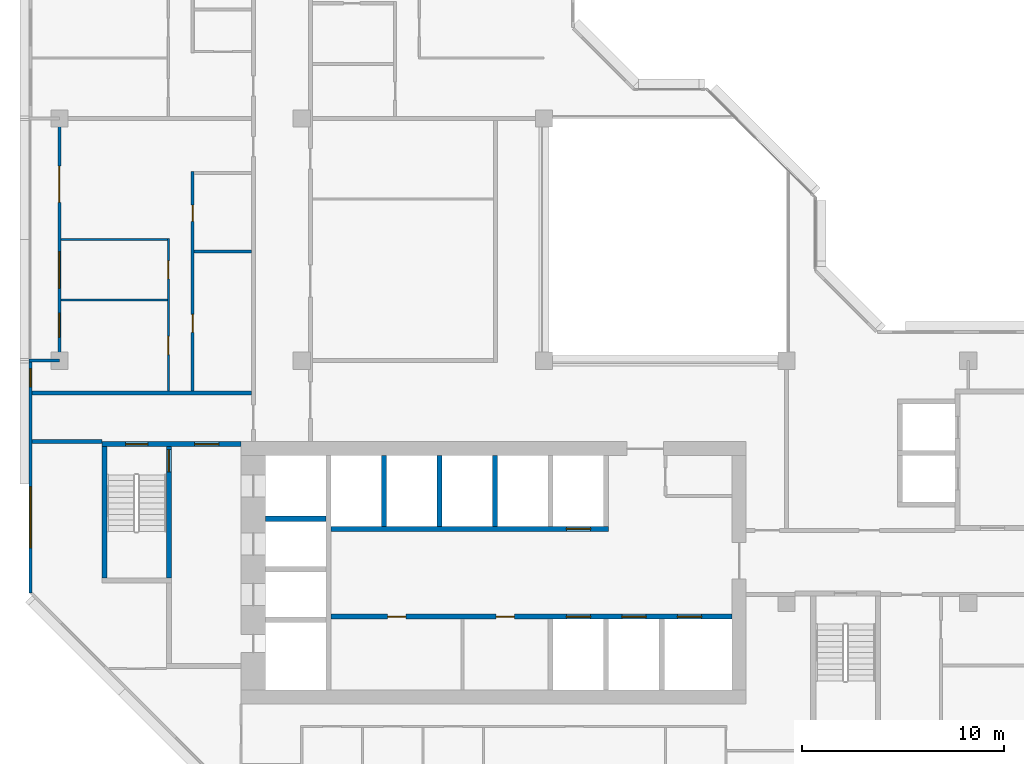
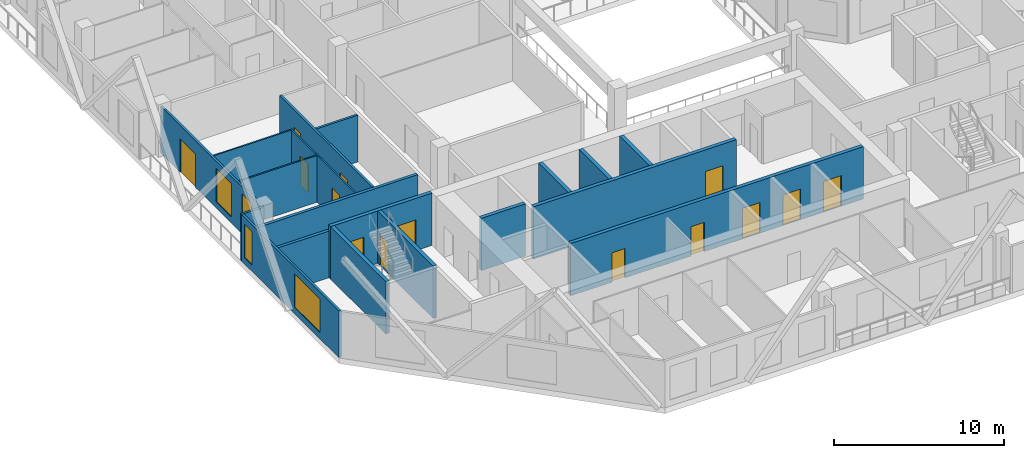
# One storey, part 5 of 16: 19 walls, 14 doors, 4 windows, 18 openings.
"""IFC4 building model written with IfcOpenShell, lengths in metres."""

from ifc_helpers import new_model, si_unit, direction, frame, frame_2d, origin, place, context, subcontext, project, spatial, rectangle, extrude, material, layer, layer_set, type_object, element, fill, save


model = new_model("IFC4")

# Units and contexts
model_context = context("Model", 3, precision=1e-05, world=origin(), true_north=direction((0.0, 1.0)))
body_context = subcontext(model_context, "Body", "Model", "MODEL_VIEW")
ifc_project = project(units=[si_unit("LENGTHUNIT", "METRE"), si_unit("AREAUNIT", "SQUARE_METRE"), si_unit("VOLUMEUNIT", "CUBIC_METRE"), si_unit("PLANEANGLEUNIT", "RADIAN"), si_unit("MASSUNIT", "GRAM", prefix="KILO")], contexts=[model_context])

# Site, building, storey
site_placement = place(None, origin())
site = spatial("IfcSite", under=ifc_project, at=site_placement, CompositionType="ELEMENT")
building_placement = place(site_placement, origin())
building = spatial("IfcBuilding", under=site, at=building_placement, Name="Chenar Terraces", CompositionType="ELEMENT")
storey_placement = place(building_placement, frame((0.0, 0.0, 219.14990234375)))
storey = spatial("IfcBuildingStorey", under=building, at=storey_placement, Name="L51", CompositionType="ELEMENT", Elevation=219.14990234375)

# Wall, openings, doors
ifc_material_1 = material(Name="Concrete C60/75", Category="concrete")
ifc_layer_1 = layer(ifc_material_1, 0.25)
ifc_layer_set_1 = layer_set([ifc_layer_1], Name="Concrete C60/75")
wall_type_1 = type_object("IfcWallType", Name="Core wall 250 Concrete C60/75", PredefinedType="SHEAR", material=ifc_layer_set_1)
wall_1_placement = place(storey_placement, frame((13.449951171875, 11.324951171875, 0.0), z_axis=(0.0, 0.0, 1.0), x_axis=(1.0, 0.0, 0.0)))
wall_1 = element("IfcWall", 1, at=wall_1_placement, inside=storey, type_object=wall_type_1, Name="Core wall SF L51", PredefinedType="SHEAR", context=body_context, shape_type="SweptSolid", body=[
    extrude(rectangle(XDim=19.85009765625, YDim=0.25, at=frame_2d((9.925048828125, 0.0))), origin(), (0.0, 0.0, 1.0), 3.75),
])
opening_1_placement = place(wall_1_placement, frame((11.64990234375, 0.0, 0.0)))
opening_1 = element("IfcOpeningElement", 2, at=opening_1_placement, cuts=wall_1, Name="Opening DL51-LD1", PredefinedType="OPENING", context=body_context, shape_type="SweptSolid", body=[
    extrude(rectangle(XDim=1.199951171875, YDim=2.199951171875, at=frame_2d((0.60009765625, 1.10009765625))), frame((0.0, 0.135009765625, 0.0), z_axis=(0.0, -1.0, 0.0), x_axis=(1.0, 0.0, 0.0)), (0.0, 0.0, 1.0), 0.27001953125),
])
opening_2_placement = place(wall_1_placement, frame((14.39990234375, 0.0, 0.0)))
opening_2 = element("IfcOpeningElement", 3, at=opening_2_placement, cuts=wall_1, Name="Opening DL51-LD2", PredefinedType="OPENING", context=body_context, shape_type="SweptSolid", body=[
    extrude(rectangle(XDim=1.199951171875, YDim=2.199951171875, at=frame_2d((0.60009765625, 1.10009765625))), frame((0.0, 0.135009765625, 0.0), z_axis=(0.0, -1.0, 0.0), x_axis=(1.0, 0.0, 0.0)), (0.0, 0.0, 1.0), 0.27001953125),
])
opening_3_placement = place(wall_1_placement, frame((17.14990234375, 0.0, 0.0)))
opening_3 = element("IfcOpeningElement", 4, at=opening_3_placement, cuts=wall_1, Name="Opening DL51-LD3", PredefinedType="OPENING", context=body_context, shape_type="SweptSolid", body=[
    extrude(rectangle(XDim=1.199951171875, YDim=2.199951171875, at=frame_2d((0.60009765625, 1.10009765625))), frame((0.0, 0.135009765625, 0.0), z_axis=(0.0, -1.0, 0.0), x_axis=(1.0, 0.0, 0.0)), (0.0, 0.0, 1.0), 0.27001953125),
])
opening_4_placement = place(wall_1_placement, frame((2.800048828125, 0.0, 0.0)))
opening_4 = element("IfcOpeningElement", 5, at=opening_4_placement, cuts=wall_1, Name="Opening DL51-C12", PredefinedType="OPENING", context=body_context, shape_type="SweptSolid", body=[
    extrude(rectangle(XDim=0.89990234375, YDim=2.10009765625, at=frame_2d((0.449951171875, 1.050048828125))), frame((0.0, 0.135009765625, 0.0), z_axis=(0.0, -1.0, 0.0), x_axis=(1.0, 0.0, 0.0)), (0.0, 0.0, 1.0), 0.27001953125),
])
opening_5_placement = place(wall_1_placement, frame((8.175048828125, 0.0, 0.0)))
opening_5 = element("IfcOpeningElement", 6, at=opening_5_placement, cuts=wall_1, Name="Opening DL51-C13", PredefinedType="OPENING", context=body_context, shape_type="SweptSolid", body=[
    extrude(rectangle(XDim=0.89990234375, YDim=2.10009765625, at=frame_2d((0.449951171875, 1.050048828125))), frame((0.0, 0.135009765625, 0.0), z_axis=(0.0, -1.0, 0.0), x_axis=(1.0, 0.0, 0.0)), (0.0, 0.0, 1.0), 0.27001953125),
])
ifc_material_2 = material(Name="Stainless steel", Category="steel")
door_type_1 = type_object("IfcDoorType", Name="Lift landing door 1200 x 2200 sliding", OperationType="DOUBLE_DOOR_SLIDING", PredefinedType="DOOR", material=ifc_material_2)
door_1_placement = place(opening_1_placement, origin())
door_1 = element("IfcDoor", 7, at=door_1_placement, inside=storey, type_object=door_type_1, Name="Landing door M1", OperationType="DOUBLE_DOOR_SLIDING", OverallHeight=2.199951171875, OverallWidth=1.199951171875, PredefinedType="DOOR", context=body_context, shape_type="SweptSolid", body=[
    extrude(rectangle(XDim=1.199951171875, YDim=2.199951171875, at=frame_2d((0.60009765625, 1.10009765625))), frame((0.0, 0.02490234375, 0.0), z_axis=(0.0, -1.0, 0.0), x_axis=(1.0, 0.0, 0.0)), (0.0, 0.0, 1.0), 0.050048828125),
])
fill(opening_1, door_1)
door_2_placement = place(opening_2_placement, origin())
door_2 = element("IfcDoor", 8, at=door_2_placement, inside=storey, type_object=door_type_1, Name="Landing door M2", OperationType="DOUBLE_DOOR_SLIDING", OverallHeight=2.199951171875, OverallWidth=1.199951171875, PredefinedType="DOOR", context=body_context, shape_type="SweptSolid", body=[
    extrude(rectangle(XDim=1.199951171875, YDim=2.199951171875, at=frame_2d((0.60009765625, 1.10009765625))), frame((0.0, 0.02490234375, 0.0), z_axis=(0.0, -1.0, 0.0), x_axis=(1.0, 0.0, 0.0)), (0.0, 0.0, 1.0), 0.050048828125),
])
fill(opening_2, door_2)
door_3_placement = place(opening_3_placement, origin())
door_3 = element("IfcDoor", 9, at=door_3_placement, inside=storey, type_object=door_type_1, Name="Landing door M3", OperationType="DOUBLE_DOOR_SLIDING", OverallHeight=2.199951171875, OverallWidth=1.199951171875, PredefinedType="DOOR", context=body_context, shape_type="SweptSolid", body=[
    extrude(rectangle(XDim=1.199951171875, YDim=2.199951171875, at=frame_2d((0.60009765625, 1.10009765625))), frame((0.0, 0.02490234375, 0.0), z_axis=(0.0, -1.0, 0.0), x_axis=(1.0, 0.0, 0.0)), (0.0, 0.0, 1.0), 0.050048828125),
])
fill(opening_3, door_3)
ifc_material_3 = material(Name="Steel-framed fire-resisting door leaf", Category="steel")
door_type_2 = type_object("IfcDoorType", Name="Riser fire door FD60 900 x 2100", OperationType="SINGLE_SWING_LEFT", PredefinedType="DOOR", material=ifc_material_3)
door_4_placement = place(opening_4_placement, frame((0.89990234375, 0.0, 0.0), z_axis=(0.0, 0.0, 1.0), x_axis=(-1.0, 0.0, 0.0)))
door_4 = element("IfcDoor", 10, at=door_4_placement, inside=storey, type_object=door_type_2, Name="Core room door DL51-C12", OperationType="SINGLE_SWING_LEFT", OverallHeight=2.10009765625, OverallWidth=0.89990234375, PredefinedType="DOOR", context=body_context, shape_type="SweptSolid", body=[
    extrude(rectangle(XDim=0.89990234375, YDim=2.10009765625, at=frame_2d((0.449951171875, 1.050048828125))), frame((0.0, 0.02490234375, 0.0), z_axis=(0.0, -1.0, 0.0), x_axis=(1.0, 0.0, 0.0)), (0.0, 0.0, 1.0), 0.050048828125),
])
fill(opening_4, door_4)
door_5_placement = place(opening_5_placement, frame((0.89990234375, 0.0, 0.0), z_axis=(0.0, 0.0, 1.0), x_axis=(-1.0, 0.0, 0.0)))
door_5 = element("IfcDoor", 11, at=door_5_placement, inside=storey, type_object=door_type_2, Name="Core room door DL51-C13", OperationType="SINGLE_SWING_LEFT", OverallHeight=2.10009765625, OverallWidth=0.89990234375, PredefinedType="DOOR", context=body_context, shape_type="SweptSolid", body=[
    extrude(rectangle(XDim=0.89990234375, YDim=2.10009765625, at=frame_2d((0.449951171875, 1.050048828125))), frame((0.0, 0.02490234375, 0.0), z_axis=(0.0, -1.0, 0.0), x_axis=(1.0, 0.0, 0.0)), (0.0, 0.0, 1.0), 0.050048828125),
])
fill(opening_5, door_5)

# Wall, opening, door
wall_2_placement = place(storey_placement, frame((13.449951171875, 15.675048828125, 0.0), z_axis=(0.0, 0.0, 1.0), x_axis=(1.0, 0.0, 0.0)))
wall_2 = element("IfcWall", 12, at=wall_2_placement, inside=storey, type_object=wall_type_1, Name="Core wall NF L51", PredefinedType="SHEAR", context=body_context, shape_type="SweptSolid", body=[
    extrude(rectangle(XDim=13.75, YDim=0.25, at=frame_2d((6.875, 0.0))), origin(), (0.0, 0.0, 1.0), 3.75),
])
opening_6_placement = place(wall_2_placement, frame((11.64990234375, 0.0, 0.0)))
opening_6 = element("IfcOpeningElement", 13, at=opening_6_placement, cuts=wall_2, Name="Opening DL51-LD4", PredefinedType="OPENING", context=body_context, shape_type="SweptSolid", body=[
    extrude(rectangle(XDim=1.199951171875, YDim=2.199951171875, at=frame_2d((0.60009765625, 1.10009765625))), frame((0.0, 0.135009765625, 0.0), z_axis=(0.0, -1.0, 0.0), x_axis=(1.0, 0.0, 0.0)), (0.0, 0.0, 1.0), 0.27001953125),
])
door_6_placement = place(opening_6_placement, origin())
door_6 = element("IfcDoor", 14, at=door_6_placement, inside=storey, type_object=door_type_1, Name="Landing door M4", OperationType="DOUBLE_DOOR_SLIDING", OverallHeight=2.199951171875, OverallWidth=1.199951171875, PredefinedType="DOOR", context=body_context, shape_type="SweptSolid", body=[
    extrude(rectangle(XDim=1.199951171875, YDim=2.199951171875, at=frame_2d((0.60009765625, 1.10009765625))), frame((0.0, 0.02490234375, 0.0), z_axis=(0.0, -1.0, 0.0), x_axis=(1.0, 0.0, 0.0)), (0.0, 0.0, 1.0), 0.050048828125),
])
fill(opening_6, door_6)

# Walls
wall_3_placement = place(storey_placement, frame((10.199951171875, 16.175048828125, 0.0), z_axis=(0.0, 0.0, 1.0), x_axis=(1.0, 0.0, 0.0)))
element("IfcWall", 15, at=wall_3_placement, inside=storey, type_object=wall_type_1, Name="Core wall HW2 L51", PredefinedType="SHEAR", context=body_context, shape_type="SweptSolid", body=[
    extrude(rectangle(XDim=3.0, YDim=0.25, at=frame_2d((1.5, 0.0))), origin(), (0.0, 0.0, 1.0), 3.75),
])
for number, where, z_axis, x_axis, name in (
    (16, (16.074951171875, 15.800048828125, 0.0), (0.0, 0.0, 1.0), (0.0, 1.0, 0.0), "Core wall NS0 L51"),
    (17, (18.824951171875, 15.800048828125, 0.0), (0.0, 0.0, 1.0), (0.0, 1.0, 0.0), "Core wall NS1 L51"),
    (18, (21.574951171875, 15.800048828125, 0.0), (0.0, 0.0, 1.0), (0.0, 1.0, 0.0), "Core wall NS2 L51"),
):
    element("IfcWall", number, at=place(storey_placement, frame(where, z_axis=z_axis, x_axis=x_axis)), inside=storey, type_object=wall_type_1, Name=name, PredefinedType="SHEAR", context=body_context, shape_type="SweptSolid", body=[
        extrude(rectangle(XDim=3.5, YDim=0.25, at=frame_2d((1.75, 0.0))), origin(), (0.0, 0.0, 1.0), 3.75),
    ])

# Wall, openings, doors
wall_4_placement = place(storey_placement, frame((2.10009765625, 19.875, 0.0), z_axis=(0.0, 0.0, 1.0), x_axis=(1.0, 0.0, 0.0)))
wall_4 = element("IfcWall", 19, at=wall_4_placement, inside=storey, type_object=wall_type_1, Name="Core wall A_N L51", PredefinedType="SHEAR", context=body_context, shape_type="SweptSolid", body=[
    extrude(rectangle(XDim=6.89990234375, YDim=0.25, at=frame_2d((3.449951171875, 0.0))), origin(), (0.0, 0.0, 1.0), 3.75),
])
opening_7_placement = place(wall_4_placement, frame((1.175048828125, 0.0, 0.0)))
opening_7 = element("IfcOpeningElement", 20, at=opening_7_placement, cuts=wall_4, Name="Opening DL51-C5", PredefinedType="OPENING", context=body_context, shape_type="SweptSolid", body=[
    extrude(rectangle(XDim=1.10009765625, YDim=2.199951171875, at=frame_2d((0.550048828125, 1.10009765625))), frame((0.0, 0.135009765625, 0.0), z_axis=(0.0, -1.0, 0.0), x_axis=(1.0, 0.0, 0.0)), (0.0, 0.0, 1.0), 0.27001953125),
])
opening_8_placement = place(wall_4_placement, frame((4.60009765625, 0.0, 0.0)))
opening_8 = element("IfcOpeningElement", 21, at=opening_8_placement, cuts=wall_4, Name="Opening DL51-C6", PredefinedType="OPENING", context=body_context, shape_type="SweptSolid", body=[
    extrude(rectangle(XDim=1.199951171875, YDim=2.199951171875, at=frame_2d((0.60009765625, 1.10009765625))), frame((0.0, 0.135009765625, 0.0), z_axis=(0.0, -1.0, 0.0), x_axis=(1.0, 0.0, 0.0)), (0.0, 0.0, 1.0), 0.27001953125),
])
ifc_material_4 = material(Name="Steel-framed fire-resisting door leaf", Category="steel")
door_type_3 = type_object("IfcDoorType", Name="Lobby fire door FD60 1200 x 2200", OperationType="SINGLE_SWING_LEFT", PredefinedType="DOOR", material=ifc_material_4)
door_7_placement = place(opening_8_placement, frame((1.199951171875, 0.0, 0.0), z_axis=(0.0, 0.0, 1.0), x_axis=(-1.0, 0.0, 0.0)))
door_7 = element("IfcDoor", 22, at=door_7_placement, inside=storey, type_object=door_type_3, Name="Core door DL51-C6", OperationType="SINGLE_SWING_LEFT", OverallHeight=2.199951171875, OverallWidth=1.199951171875, PredefinedType="DOOR", context=body_context, shape_type="SweptSolid", body=[
    extrude(rectangle(XDim=1.199951171875, YDim=2.199951171875, at=frame_2d((0.60009765625, 1.10009765625))), frame((0.0, 0.02490234375, 0.0), z_axis=(0.0, -1.0, 0.0), x_axis=(1.0, 0.0, 0.0)), (0.0, 0.0, 1.0), 0.050048828125),
])
fill(opening_8, door_7)
ifc_material_5 = material(Name="Steel-framed fire-resisting door leaf", Category="steel")
door_type_4 = type_object("IfcDoorType", Name="Stair fire door FD60 1100 x 2200", OperationType="SINGLE_SWING_LEFT", PredefinedType="DOOR", material=ifc_material_5)
door_8_placement = place(opening_7_placement, origin())
door_8 = element("IfcDoor", 23, at=door_8_placement, inside=storey, type_object=door_type_4, Name="Stair door DL51-C5", OperationType="SINGLE_SWING_LEFT", OverallHeight=2.199951171875, OverallWidth=1.10009765625, PredefinedType="DOOR", context=body_context, shape_type="SweptSolid", body=[
    extrude(rectangle(XDim=1.10009765625, YDim=2.199951171875, at=frame_2d((0.550048828125, 1.10009765625))), frame((0.0, 0.02490234375, 0.0), z_axis=(0.0, -1.0, 0.0), x_axis=(1.0, 0.0, 0.0)), (0.0, 0.0, 1.0), 0.050048828125),
])
fill(opening_7, door_8)

# Wall
wall_5_placement = place(storey_placement, frame((2.22509765625, 13.25, 0.0), z_axis=(0.0, 0.0, 1.0), x_axis=(0.0, 1.0, 0.0)))
element("IfcWall", 24, at=wall_5_placement, inside=storey, type_object=wall_type_1, Name="Core wall ST1_W L51", PredefinedType="SHEAR", context=body_context, shape_type="SweptSolid", body=[
    extrude(rectangle(XDim=6.5, YDim=0.25, at=frame_2d((3.25, 0.0))), origin(), (0.0, 0.0, 1.0), 3.75),
])

# Wall, opening, door
wall_6_placement = place(storey_placement, frame((5.425048828125, 13.25, 0.0), z_axis=(0.0, 0.0, 1.0), x_axis=(0.0, 1.0, 0.0)))
wall_6 = element("IfcWall", 25, at=wall_6_placement, inside=storey, type_object=wall_type_1, Name="Core wall ST1_E L51", PredefinedType="SHEAR", context=body_context, shape_type="SweptSolid", body=[
    extrude(rectangle(XDim=6.5, YDim=0.25, at=frame_2d((3.25, 0.0))), origin(), (0.0, 0.0, 1.0), 3.75),
])
opening_9_placement = place(wall_6_placement, frame((5.25, 0.0, 0.0)))
opening_9 = element("IfcOpeningElement", 26, at=opening_9_placement, cuts=wall_6, Name="Opening DL51-C3", PredefinedType="OPENING", context=body_context, shape_type="SweptSolid", body=[
    extrude(rectangle(XDim=1.10009765625, YDim=2.199951171875, at=frame_2d((0.550048828125, 1.10009765625))), frame((0.0, 0.135009765625, 0.0), z_axis=(0.0, -1.0, 0.0), x_axis=(1.0, 0.0, 0.0)), (0.0, 0.0, 1.0), 0.27001953125),
])
door_9_placement = place(opening_9_placement, origin())
door_9 = element("IfcDoor", 27, at=door_9_placement, inside=storey, type_object=door_type_4, Name="Stair door DL51-C3", OperationType="SINGLE_SWING_RIGHT", OverallHeight=2.199951171875, OverallWidth=1.10009765625, PredefinedType="DOOR", context=body_context, shape_type="SweptSolid", body=[
    extrude(rectangle(XDim=1.10009765625, YDim=2.199951171875, at=frame_2d((0.550048828125, 1.10009765625))), frame((0.0, 0.02490234375, 0.0), z_axis=(0.0, -1.0, 0.0), x_axis=(1.0, 0.0, 0.0)), (0.0, 0.0, 1.0), 0.050048828125),
])
fill(opening_9, door_9)

# Walls
ifc_material_6 = material(Name="Gypsum board on steel studs with fire boards", Category="steel")
ifc_layer_2 = layer(ifc_material_6, 0.199951171875)
ifc_layer_set_2 = layer_set([ifc_layer_2], Name="Gypsum board on steel studs with fire boards")
wall_type_2 = type_object("IfcWallType", Name="Corridor wall 200", PredefinedType="PARTITIONING", material=ifc_layer_set_2)
wall_7_placement = place(storey_placement, frame((-1.35009765625, 20.0, 0.0), z_axis=(0.0, 0.0, 1.0), x_axis=(1.0, 0.0, 0.0)))
element("IfcWall", 28, at=wall_7_placement, inside=storey, type_object=wall_type_2, Name="Partition L51-003", PredefinedType="PARTITIONING", context=body_context, shape_type="SweptSolid", body=[
    extrude(rectangle(XDim=3.4501953125, YDim=0.199951171875, at=frame_2d((1.72509765625, 0.0))), origin(), (0.0, 0.0, 1.0), 3.35009765625),
])
wall_8_placement = place(storey_placement, frame((-1.35009765625, 22.39990234375, 0.0), z_axis=(0.0, 0.0, 1.0), x_axis=(1.0, 0.0, 0.0)))
element("IfcWall", 29, at=wall_8_placement, inside=storey, type_object=wall_type_2, Name="Partition L51-004", PredefinedType="PARTITIONING", context=body_context, shape_type="SweptSolid", body=[
    extrude(rectangle(XDim=10.85009765625, YDim=0.199951171875, at=frame_2d((5.425048828125, 0.0))), origin(), (0.0, 0.0, 1.0), 3.35009765625),
])

# Wall, openings, windows
ifc_material_7 = material(Name="Aluminium framed glazing", Category="aluminium")
ifc_layer_3 = layer(ifc_material_7, 0.14990234375)
ifc_layer_set_3 = layer_set([ifc_layer_3], Name="Aluminium framed glazing")
wall_type_3 = type_object("IfcWallType", Name="Glazed flush facade wall 150", PredefinedType="SOLIDWALL", material=ifc_layer_set_3)
wall_9_placement = place(storey_placement, frame((-1.425048828125, 23.925048828125, 0.0), z_axis=(0.0, 0.0, 1.0), x_axis=(0.0, -1.0, 0.0)))
wall_9 = element("IfcWall", 30, at=wall_9_placement, inside=storey, type_object=wall_type_3, Name="Glazed flush facade wall", PredefinedType="SOLIDWALL", context=body_context, shape_type="SweptSolid", body=[
    extrude(rectangle(XDim=11.425048828125, YDim=0.14990234375, at=frame_2d((5.71240234375, 0.0))), origin(), (0.0, 0.0, 1.0), 3.35009765625),
])
opening_10_placement = place(wall_9_placement, frame((0.3125, 0.0, 0.449951171875)))
opening_10 = element("IfcOpeningElement", 31, at=opening_10_placement, cuts=wall_9, Name="Opening W90x240", PredefinedType="OPENING", context=body_context, shape_type="SweptSolid", body=[
    extrude(rectangle(XDim=0.89990234375, YDim=2.39990234375, at=frame_2d((0.449951171875, 1.199951171875))), frame((0.0, 0.0849609375, 0.0), z_axis=(0.0, -1.0, 0.0), x_axis=(1.0, 0.0, 0.0)), (0.0, 0.0, 1.0), 0.169921875),
])
opening_11_placement = place(wall_9_placement, frame((6.175048828125, 0.0, 0.449951171875)))
opening_11 = element("IfcOpeningElement", 32, at=opening_11_placement, cuts=wall_9, Name="Opening W300x240", PredefinedType="OPENING", context=body_context, shape_type="SweptSolid", body=[
    extrude(rectangle(XDim=3.0, YDim=2.39990234375, at=frame_2d((1.5, 1.199951171875))), frame((0.0, 0.0849609375, 0.0), z_axis=(0.0, -1.0, 0.0), x_axis=(1.0, 0.0, 0.0)), (0.0, 0.0, 1.0), 0.169921875),
])
ifc_material_8 = material(Name="Low emissivity double glazing, aluminium frame", Category="aluminium")
window_type_1 = type_object("IfcWindowType", Name="Fixed light 3000 x 2400", PartitioningType="SINGLE_PANEL", PredefinedType="WINDOW", material=ifc_material_8)
window_1_placement = place(opening_11_placement, origin())
window_1 = element("IfcWindow", 33, at=window_1_placement, inside=storey, type_object=window_type_1, Name="Window", OverallHeight=2.39990234375, OverallWidth=3.0, PartitioningType="SINGLE_PANEL", PredefinedType="WINDOW", context=body_context, shape_type="SweptSolid", body=[
    extrude(rectangle(XDim=3.0, YDim=2.39990234375, at=frame_2d((1.5, 1.199951171875))), frame((0.0, 0.030029296875, 0.0), z_axis=(0.0, -1.0, 0.0), x_axis=(1.0, 0.0, 0.0)), (0.0, 0.0, 1.0), 0.06005859375),
])
fill(opening_11, window_1)
ifc_material_9 = material(Name="Low emissivity double glazing, aluminium frame", Category="aluminium")
window_type_2 = type_object("IfcWindowType", Name="Fixed light 900 x 2400", PartitioningType="SINGLE_PANEL", PredefinedType="WINDOW", material=ifc_material_9)
window_2_placement = place(opening_10_placement, origin())
window_2 = element("IfcWindow", 34, at=window_2_placement, inside=storey, type_object=window_type_2, Name="Window", OverallHeight=2.39990234375, OverallWidth=0.89990234375, PartitioningType="SINGLE_PANEL", PredefinedType="WINDOW", context=body_context, shape_type="SweptSolid", body=[
    extrude(rectangle(XDim=0.89990234375, YDim=2.39990234375, at=frame_2d((0.449951171875, 1.199951171875))), frame((0.0, 0.030029296875, 0.0), z_axis=(0.0, -1.0, 0.0), x_axis=(1.0, 0.0, 0.0)), (0.0, 0.0, 1.0), 0.06005859375),
])
fill(opening_10, window_2)

# Wall, openings, windows, door
ifc_material_10 = material(Name="Aluminium framed glazing", Category="aluminium")
ifc_layer_4 = layer(ifc_material_10, 0.14990234375)
ifc_layer_set_4 = layer_set([ifc_layer_4], Name="Aluminium framed glazing")
wall_type_4 = type_object("IfcWallType", Name="Glazed loggia back wall 150", PredefinedType="SOLIDWALL", material=ifc_layer_set_4)
wall_10_placement = place(storey_placement, frame((0.0, 35.925048828125, 0.0), z_axis=(0.0, 0.0, 1.0), x_axis=(0.0, -1.0, 0.0)))
wall_10 = element("IfcWall", 35, at=wall_10_placement, inside=storey, type_object=wall_type_4, Name="Glazed loggia back wall", PredefinedType="SOLIDWALL", context=body_context, shape_type="SweptSolid", body=[
    extrude(rectangle(XDim=11.85009765625, YDim=0.14990234375, at=frame_2d((5.925048828125, 0.0))), origin(), (0.0, 0.0, 1.0), 3.35009765625),
])
opening_12_placement = place(wall_10_placement, frame((2.28759765625, 0.0, 0.0)))
opening_12 = element("IfcOpeningElement", 36, at=opening_12_placement, cuts=wall_10, Name="Opening DL51-G5", PredefinedType="OPENING", context=body_context, shape_type="SweptSolid", body=[
    extrude(rectangle(XDim=1.800048828125, YDim=2.39990234375, at=frame_2d((0.89990234375, 1.199951171875))), frame((0.0, 0.0849609375, 0.0), z_axis=(0.0, -1.0, 0.0), x_axis=(1.0, 0.0, 0.0)), (0.0, 0.0, 1.0), 0.169921875),
])
opening_13_placement = place(wall_10_placement, frame((6.52490234375, 0.0, 0.449951171875)))
opening_13 = element("IfcOpeningElement", 37, at=opening_13_placement, cuts=wall_10, Name="Opening W180x240", PredefinedType="OPENING", context=body_context, shape_type="SweptSolid", body=[
    extrude(rectangle(XDim=1.800048828125, YDim=2.39990234375, at=frame_2d((0.89990234375, 1.199951171875))), frame((0.0, 0.0849609375, 0.0), z_axis=(0.0, -1.0, 0.0), x_axis=(1.0, 0.0, 0.0)), (0.0, 0.0, 1.0), 0.169921875),
])
opening_14_placement = place(wall_10_placement, frame((9.5625, 0.0, 0.449951171875)))
opening_14 = element("IfcOpeningElement", 38, at=opening_14_placement, cuts=wall_10, Name="Opening W120x240", PredefinedType="OPENING", context=body_context, shape_type="SweptSolid", body=[
    extrude(rectangle(XDim=1.199951171875, YDim=2.39990234375, at=frame_2d((0.60009765625, 1.199951171875))), frame((0.0, 0.0849609375, 0.0), z_axis=(0.0, -1.0, 0.0), x_axis=(1.0, 0.0, 0.0)), (0.0, 0.0, 1.0), 0.169921875),
])
ifc_material_11 = material(Name="Low emissivity double glazing, aluminium frame", Category="aluminium")
window_type_3 = type_object("IfcWindowType", Name="Fixed light 1200 x 2400", PartitioningType="SINGLE_PANEL", PredefinedType="WINDOW", material=ifc_material_11)
window_3_placement = place(opening_14_placement, origin())
window_3 = element("IfcWindow", 39, at=window_3_placement, inside=storey, type_object=window_type_3, Name="Window", OverallHeight=2.39990234375, OverallWidth=1.199951171875, PartitioningType="SINGLE_PANEL", PredefinedType="WINDOW", context=body_context, shape_type="SweptSolid", body=[
    extrude(rectangle(XDim=1.199951171875, YDim=2.39990234375, at=frame_2d((0.60009765625, 1.199951171875))), frame((0.0, 0.030029296875, 0.0), z_axis=(0.0, -1.0, 0.0), x_axis=(1.0, 0.0, 0.0)), (0.0, 0.0, 1.0), 0.06005859375),
])
fill(opening_14, window_3)
ifc_material_12 = material(Name="Low emissivity double glazing, aluminium frame", Category="aluminium")
window_type_4 = type_object("IfcWindowType", Name="Fixed light 1800 x 2400", PartitioningType="SINGLE_PANEL", PredefinedType="WINDOW", material=ifc_material_12)
window_4_placement = place(opening_13_placement, origin())
window_4 = element("IfcWindow", 40, at=window_4_placement, inside=storey, type_object=window_type_4, Name="Window", OverallHeight=2.39990234375, OverallWidth=1.800048828125, PartitioningType="SINGLE_PANEL", PredefinedType="WINDOW", context=body_context, shape_type="SweptSolid", body=[
    extrude(rectangle(XDim=1.800048828125, YDim=2.39990234375, at=frame_2d((0.89990234375, 1.199951171875))), frame((0.0, 0.030029296875, 0.0), z_axis=(0.0, -1.0, 0.0), x_axis=(1.0, 0.0, 0.0)), (0.0, 0.0, 1.0), 0.06005859375),
])
fill(opening_13, window_4)
ifc_material_13 = material(Name="Low emissivity double glazing, aluminium frame", Category="aluminium")
door_type_5 = type_object("IfcDoorType", Name="Loggia glazed double door 1800 x 2400", OperationType="DOUBLE_DOOR_SINGLE_SWING", PredefinedType="DOOR", material=ifc_material_13)
door_10_placement = place(opening_12_placement, frame((1.800048828125, 0.0, 0.0), z_axis=(0.0, 0.0, 1.0), x_axis=(-1.0, 0.0, 0.0)))
door_10 = element("IfcDoor", 41, at=door_10_placement, inside=storey, type_object=door_type_5, Name="Loggia glazed door", OperationType="DOUBLE_DOOR_SINGLE_SWING", OverallHeight=2.39990234375, OverallWidth=1.800048828125, PredefinedType="DOOR", context=body_context, shape_type="SweptSolid", body=[
    extrude(rectangle(XDim=1.800048828125, YDim=2.39990234375, at=frame_2d((0.89990234375, 1.199951171875))), frame((0.0, 0.02490234375, 0.0), z_axis=(0.0, -1.0, 0.0), x_axis=(1.0, 0.0, 0.0)), (0.0, 0.0, 1.0), 0.050048828125),
])
fill(opening_12, door_10)

# Walls
ifc_material_14 = material(Name="Gypsum board on steel studs", Category="steel")
ifc_layer_5 = layer(ifc_material_14, 0.10009765625)
ifc_layer_set_5 = layer_set([ifc_layer_5], Name="Gypsum board on steel studs")
wall_type_5 = type_object("IfcWallType", Name="Gypsum partition 100", PredefinedType="PARTITIONING", material=ifc_layer_set_5)
for number, where, z_axis, x_axis, name in (
    (42, (0.073974609375, 27.0, 0.0), (0.0, 0.0, 1.0), (1.0, 0.0, 0.0), "Partition L51-008"),
    (43, (0.073974609375, 30.0, 0.0), (0.0, 0.0, 1.0), (1.0, 0.0, 0.0), "Partition L51-009"),
):
    element("IfcWall", number, at=place(storey_placement, frame(where, z_axis=z_axis, x_axis=x_axis)), inside=storey, type_object=wall_type_5, Name=name, PredefinedType="PARTITIONING", context=body_context, shape_type="SweptSolid", body=[
        extrude(rectangle(XDim=5.276123046875, YDim=0.10009765625, at=frame_2d((2.63818359375, 0.0))), origin(), (0.0, 0.0, 1.0), 3.35009765625),
    ])

# Wall, openings, doors
wall_11_placement = place(storey_placement, frame((5.39990234375, 22.5, 0.0), z_axis=(0.0, 0.0, 1.0), x_axis=(0.0, 1.0, 0.0)))
wall_11 = element("IfcWall", 44, at=wall_11_placement, inside=storey, type_object=wall_type_5, Name="Partition L51-015", PredefinedType="PARTITIONING", context=body_context, shape_type="SweptSolid", body=[
    extrude(rectangle(XDim=7.550048828125, YDim=0.10009765625, at=frame_2d((3.77490234375, 0.0))), origin(), (0.0, 0.0, 1.0), 3.35009765625),
])
opening_15_placement = place(wall_11_placement, frame((1.800048828125, 0.0, 0.0)))
opening_15 = element("IfcOpeningElement", 45, at=opening_15_placement, cuts=wall_11, Name="Opening DL51-61", PredefinedType="OPENING", context=body_context, shape_type="SweptSolid", body=[
    extrude(rectangle(XDim=0.89990234375, YDim=2.10009765625, at=frame_2d((0.449951171875, 1.050048828125))), frame((0.0, 0.06005859375, 0.0), z_axis=(0.0, -1.0, 0.0), x_axis=(1.0, 0.0, 0.0)), (0.0, 0.0, 1.0), 0.1201171875),
])
opening_16_placement = place(wall_11_placement, frame((5.550048828125, 0.0, 0.0)))
opening_16 = element("IfcOpeningElement", 46, at=opening_16_placement, cuts=wall_11, Name="Opening DL51-62", PredefinedType="OPENING", context=body_context, shape_type="SweptSolid", body=[
    extrude(rectangle(XDim=0.89990234375, YDim=2.10009765625, at=frame_2d((0.449951171875, 1.050048828125))), frame((0.0, 0.06005859375, 0.0), z_axis=(0.0, -1.0, 0.0), x_axis=(1.0, 0.0, 0.0)), (0.0, 0.0, 1.0), 0.1201171875),
])
ifc_material_15 = material(Name="Veneered timber door leaf", Category="wood")
door_type_6 = type_object("IfcDoorType", Name="Door 900 x 2100", OperationType="SINGLE_SWING_LEFT", PredefinedType="DOOR", material=ifc_material_15)
door_11_placement = place(opening_15_placement, origin())
door_11 = element("IfcDoor", 47, at=door_11_placement, inside=storey, type_object=door_type_6, Name="Door DL51-61", OperationType="SINGLE_SWING_RIGHT", OverallHeight=2.10009765625, OverallWidth=0.89990234375, PredefinedType="DOOR", context=body_context, shape_type="SweptSolid", body=[
    extrude(rectangle(XDim=0.89990234375, YDim=2.10009765625, at=frame_2d((0.449951171875, 1.050048828125))), frame((0.0, 0.02490234375, 0.0), z_axis=(0.0, -1.0, 0.0), x_axis=(1.0, 0.0, 0.0)), (0.0, 0.0, 1.0), 0.050048828125),
])
fill(opening_15, door_11)
door_12_placement = place(opening_16_placement, origin())
door_12 = element("IfcDoor", 48, at=door_12_placement, inside=storey, type_object=door_type_6, Name="Door DL51-62", OperationType="SINGLE_SWING_RIGHT", OverallHeight=2.10009765625, OverallWidth=0.89990234375, PredefinedType="DOOR", context=body_context, shape_type="SweptSolid", body=[
    extrude(rectangle(XDim=0.89990234375, YDim=2.10009765625, at=frame_2d((0.449951171875, 1.050048828125))), frame((0.0, 0.02490234375, 0.0), z_axis=(0.0, -1.0, 0.0), x_axis=(1.0, 0.0, 0.0)), (0.0, 0.0, 1.0), 0.050048828125),
])
fill(opening_16, door_12)

# Wall
ifc_material_16 = material(Name="Terracotta cladding on insulated backing", Category="masonry")
ifc_layer_6 = layer(ifc_material_16, 0.14990234375)
ifc_layer_set_6 = layer_set([ifc_layer_6], Name="Terracotta cladding on insulated backing")
wall_type_6 = type_object("IfcWallType", Name="Loggia return wall 150", PredefinedType="SOLIDWALL", material=ifc_layer_set_6)
wall_12_placement = place(storey_placement, frame((-1.5, 24.0, 0.0), z_axis=(0.0, 0.0, 1.0), x_axis=(1.0, 0.0, 0.0)))
element("IfcWall", 49, at=wall_12_placement, inside=storey, type_object=wall_type_6, Name="Loggia return wall", PredefinedType="SOLIDWALL", context=body_context, shape_type="SweptSolid", body=[
    extrude(rectangle(XDim=1.5, YDim=0.14990234375, at=frame_2d((0.75, 0.0))), origin(), (0.0, 0.0, 1.0), 3.35009765625),
])

# Wall, openings, doors
ifc_material_17 = material(Name="Moisture-resistant gypsum board on steel studs", Category="steel")
ifc_layer_7 = layer(ifc_material_17, 0.14990234375)
ifc_layer_set_7 = layer_set([ifc_layer_7], Name="Moisture-resistant gypsum board on steel studs")
wall_type_7 = type_object("IfcWallType", Name="Wet-room partition 150", PredefinedType="PARTITIONING", material=ifc_layer_set_7)
wall_13_placement = place(storey_placement, frame((6.60009765625, 22.5, 0.0), z_axis=(0.0, 0.0, 1.0), x_axis=(0.0, 1.0, 0.0)))
wall_13 = element("IfcWall", 50, at=wall_13_placement, inside=storey, type_object=wall_type_7, Name="Partition L51-020", PredefinedType="PARTITIONING", context=body_context, shape_type="SweptSolid", body=[
    extrude(rectangle(XDim=10.875, YDim=0.14990234375, at=frame_2d((5.4375, 0.0))), origin(), (0.0, 0.0, 1.0), 3.35009765625),
])
opening_17_placement = place(wall_13_placement, frame((8.39990234375, 0.0, 0.0)))
opening_17 = element("IfcOpeningElement", 51, at=opening_17_placement, cuts=wall_13, Name="Opening DL51-60", PredefinedType="OPENING", context=body_context, shape_type="SweptSolid", body=[
    extrude(rectangle(XDim=0.800048828125, YDim=2.10009765625, at=frame_2d((0.39990234375, 1.050048828125))), frame((0.0, 0.0849609375, 0.0), z_axis=(0.0, -1.0, 0.0), x_axis=(1.0, 0.0, 0.0)), (0.0, 0.0, 1.0), 0.169921875),
])
opening_18_placement = place(wall_13_placement, frame((2.89990234375, 0.0, 0.0)))
opening_18 = element("IfcOpeningElement", 52, at=opening_18_placement, cuts=wall_13, Name="Opening DL51-63", PredefinedType="OPENING", context=body_context, shape_type="SweptSolid", body=[
    extrude(rectangle(XDim=0.89990234375, YDim=2.10009765625, at=frame_2d((0.449951171875, 1.050048828125))), frame((0.0, 0.0849609375, 0.0), z_axis=(0.0, -1.0, 0.0), x_axis=(1.0, 0.0, 0.0)), (0.0, 0.0, 1.0), 0.169921875),
])
ifc_material_18 = material(Name="Veneered timber door leaf", Category="wood")
door_type_7 = type_object("IfcDoorType", Name="Door 800 x 2100", OperationType="SINGLE_SWING_LEFT", PredefinedType="DOOR", material=ifc_material_18)
door_13_placement = place(opening_17_placement, frame((0.800048828125, 0.0, 0.0), z_axis=(0.0, 0.0, 1.0), x_axis=(-1.0, 0.0, 0.0)))
door_13 = element("IfcDoor", 53, at=door_13_placement, inside=storey, type_object=door_type_7, Name="Door DL51-60", OperationType="SINGLE_SWING_RIGHT", OverallHeight=2.10009765625, OverallWidth=0.800048828125, PredefinedType="DOOR", context=body_context, shape_type="SweptSolid", body=[
    extrude(rectangle(XDim=0.800048828125, YDim=2.10009765625, at=frame_2d((0.39990234375, 1.050048828125))), frame((0.0, 0.02490234375, 0.0), z_axis=(0.0, -1.0, 0.0), x_axis=(1.0, 0.0, 0.0)), (0.0, 0.0, 1.0), 0.050048828125),
])
fill(opening_17, door_13)
door_14_placement = place(opening_18_placement, frame((0.89990234375, 0.0, 0.0), z_axis=(0.0, 0.0, 1.0), x_axis=(-1.0, 0.0, 0.0)))
door_14 = element("IfcDoor", 54, at=door_14_placement, inside=storey, type_object=door_type_6, Name="Door DL51-63", OperationType="SINGLE_SWING_RIGHT", OverallHeight=2.10009765625, OverallWidth=0.89990234375, PredefinedType="DOOR", context=body_context, shape_type="SweptSolid", body=[
    extrude(rectangle(XDim=0.89990234375, YDim=2.10009765625, at=frame_2d((0.449951171875, 1.050048828125))), frame((0.0, 0.02490234375, 0.0), z_axis=(0.0, -1.0, 0.0), x_axis=(1.0, 0.0, 0.0)), (0.0, 0.0, 1.0), 0.050048828125),
])
fill(opening_18, door_14)

# Wall
wall_14_placement = place(storey_placement, frame((6.675048828125, 29.39990234375, 0.0), z_axis=(0.0, 0.0, 1.0), x_axis=(1.0, 0.0, 0.0)))
element("IfcWall", 55, at=wall_14_placement, inside=storey, type_object=wall_type_7, Name="Partition L51-022", PredefinedType="PARTITIONING", context=body_context, shape_type="SweptSolid", body=[
    extrude(rectangle(XDim=2.824951171875, YDim=0.14990234375, at=frame_2d((1.41259765625, 0.0))), origin(), (0.0, 0.0, 1.0), 3.35009765625),
])

save(model, "model.ifc")
